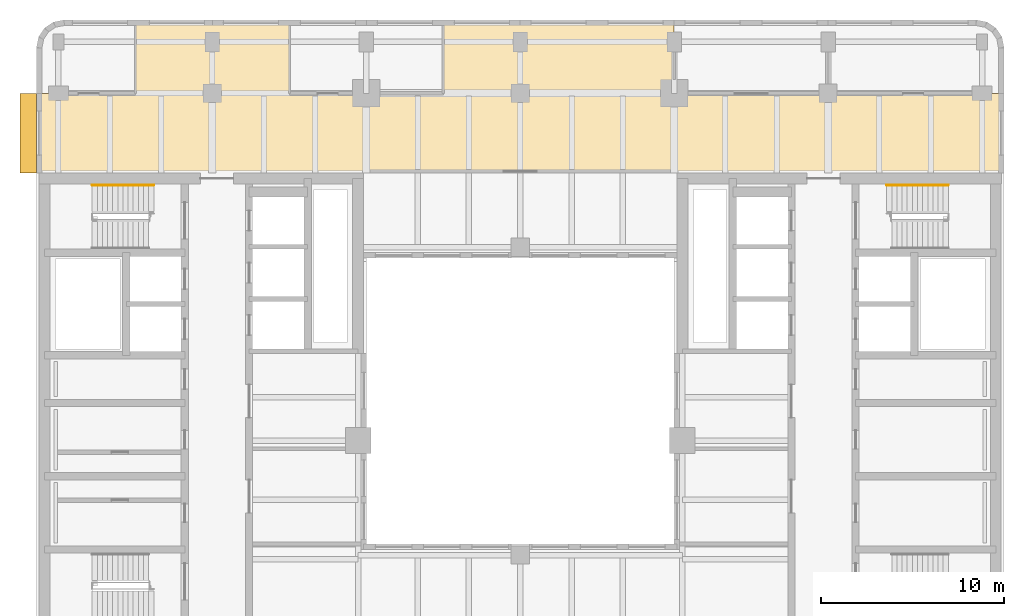
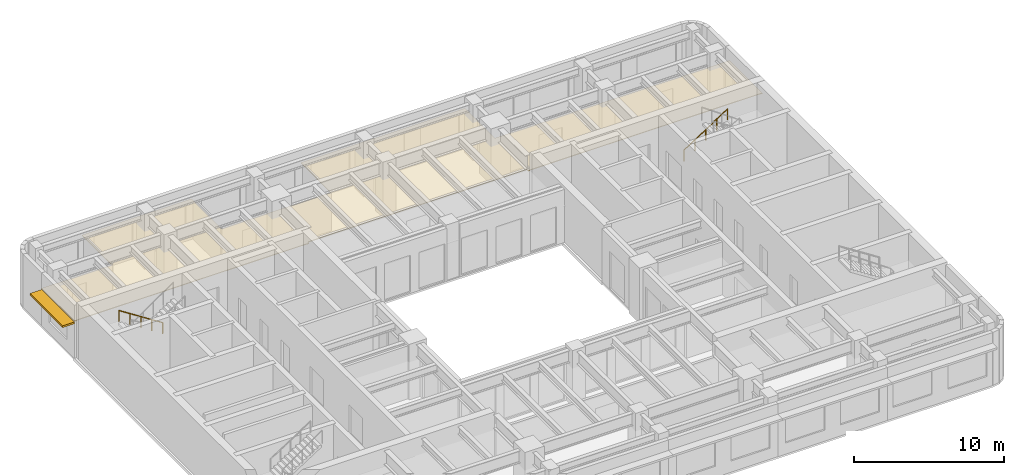
# One storey, part 13 of 13: 2 railings, 1 covering, 1 shading device.
"""IFC4 building model written with IfcOpenShell, lengths in metres."""

from ifc_helpers import new_model, si_unit, direction, frame, origin, origin_2d, place, context, subcontext, project, spatial, polyline, rectangle, circle, outline, extrude, material, layer, layer_set, type_object, element, save


model = new_model("IFC4")

# Units and contexts
model_context = context("Model", 3, precision=1e-05, world=origin(), true_north=direction((0.0, 1.0)))
body_context = subcontext(model_context, "Body", "Model", "MODEL_VIEW")
ifc_project = project(units=[si_unit("LENGTHUNIT", "METRE"), si_unit("AREAUNIT", "SQUARE_METRE"), si_unit("VOLUMEUNIT", "CUBIC_METRE"), si_unit("PLANEANGLEUNIT", "RADIAN"), si_unit("MASSUNIT", "GRAM", prefix="KILO")], contexts=[model_context])

# Site, building, storey
site_placement = place(None, origin())
site = spatial("IfcSite", under=ifc_project, at=site_placement, CompositionType="ELEMENT")
building_placement = place(site_placement, origin())
building = spatial("IfcBuilding", under=site, at=building_placement, Name="Claustro Exchange Tower", CompositionType="ELEMENT")
storey_placement = place(building_placement, frame((0.0, 0.0, 277.199951171875)))
storey = spatial("IfcBuildingStorey", under=building, at=storey_placement, Name="L63", CompositionType="ELEMENT", Elevation=277.199951171875)

# Covering
ifc_material_1 = material(Name="Oak slats on acoustic backing", Category="wood")
ifc_layer_1 = layer(ifc_material_1, 0.050048828125)
ifc_layer_set_1 = layer_set([ifc_layer_1], Name="Oak slats on acoustic backing")
covering_type = type_object("IfcCoveringType", Name="CL3 timber slat ceiling", PredefinedType="CEILING", material=ifc_layer_set_1)
covering_placement = place(storey_placement, frame((0.0, 0.0, 3.0)))
element("IfcCovering", 1, at=covering_placement, inside=storey, type_object=covering_type, Name="Ceiling CL3 L63-12", PredefinedType="CEILING", context=body_context, shape_type="SweptSolid", body=[
    extrude(outline(polyline([(16.64990234375, 37.64990234375), (16.64990234375, 37.6298828125), (16.800048828125, 37.6298828125), (16.800048828125, 37.800048828125), (33.60009765625, 37.800048828125), (33.60009765625, 37.6298828125), (33.75, 37.6298828125), (33.75, 37.64990234375), (51.449951171875, 37.64990234375), (51.449951171875, 37.6298828125), (51.60009765625, 37.6298828125), (51.60009765625, 42.0), (33.60009765625, 42.0), (33.60009765625, 46.0), (21.0, 46.0), (21.0, 42.0), (12.60009765625, 42.0), (12.60009765625, 46.0), (4.199951171875, 46.0), (4.199951171875, 42.0), (-1.199951171875, 42.0), (-1.199951171875, 37.6298828125), (-1.050048828125, 37.6298828125), (-1.050048828125, 37.64990234375), (16.64990234375, 37.64990234375)])), origin(), (0.0, 0.0, 1.0), 0.050048828125),
])

# Railings
ifc_material_2 = material(Name="Stainless steel tube", Category="steel")
railing_type = type_object("IfcRailingType", Name="HR1 900 stair handrail", PredefinedType="HANDRAIL", material=ifc_material_2)
railing_1_placement = place(storey_placement, frame((5.199951171875, 36.989990234375, 0.179931640625)))
element("IfcRailing", 2, at=railing_1_placement, inside=storey, type_object=railing_type, Name="Handrail HR1 stair STWB L63", PredefinedType="HANDRAIL", context=body_context, shape_type="SweptSolid", body=[
    extrude(circle(Radius=0.02392578125, at=origin_2d()), frame((0.0, 0.0, 0.8759765625), z_axis=(-0.841150671818, 0.0, 0.540800838849), x_axis=(0.0, -1.0, 0.0)), (0.0, 0.0, 1.0), 3.994384765625),
    extrude(circle(Radius=0.02099609375, at=origin_2d()), origin(), (0.0, 0.0, 1.0), 0.851806640625),
    extrude(circle(Radius=0.02099609375, at=origin_2d()), frame((-0.83984375, 0.0, 0.5400390625)), (0.0, 0.0, 1.0), 0.851806640625),
    extrude(circle(Radius=0.02099609375, at=origin_2d()), frame((-1.679931640625, 0.0, 1.080078125)), (0.0, 0.0, 1.0), 0.851806640625),
    extrude(circle(Radius=0.02099609375, at=origin_2d()), frame((-2.52001953125, 0.0, 1.6201171875)), (0.0, 0.0, 1.0), 0.851806640625),
    extrude(circle(Radius=0.02099609375, at=origin_2d()), frame((-3.35986328125, 0.0, 2.16015625)), (0.0, 0.0, 1.0), 0.851806640625),
])
railing_2_placement = place(storey_placement, frame((45.199951171875, 36.989990234375, 0.179931640625)))
element("IfcRailing", 3, at=railing_2_placement, inside=storey, type_object=railing_type, Name="Handrail HR1 stair STEB L63", PredefinedType="HANDRAIL", context=body_context, shape_type="SweptSolid", body=[
    extrude(circle(Radius=0.02392578125, at=origin_2d()), frame((0.0, 0.0, 0.8759765625), z_axis=(0.8411685463, 0.0, 0.540773036232), x_axis=(0.0, 1.0, 0.0)), (0.0, 0.0, 1.0), 3.99462890625),
    extrude(circle(Radius=0.02099609375, at=origin_2d()), origin(), (0.0, 0.0, 1.0), 0.851806640625),
    extrude(circle(Radius=0.02099609375, at=origin_2d()), frame((0.840087890625, 0.0, 0.5400390625)), (0.0, 0.0, 1.0), 0.851806640625),
    extrude(circle(Radius=0.02099609375, at=origin_2d()), frame((1.68017578125, 0.0, 1.080078125)), (0.0, 0.0, 1.0), 0.851806640625),
    extrude(circle(Radius=0.02099609375, at=origin_2d()), frame((2.52001953125, 0.0, 1.6201171875)), (0.0, 0.0, 1.0), 0.851806640625),
    extrude(circle(Radius=0.02099609375, at=origin_2d()), frame((3.360107421875, 0.0, 2.16015625)), (0.0, 0.0, 1.0), 0.851806640625),
])

# Shading device
ifc_material_3 = material(Name="Concrete HA-40 (C40/50), precast, white cement, acid-etched", Category="concrete")
ifc_layer_2 = layer(ifc_material_3, 0.14990234375)
ifc_layer_set_2 = layer_set([ifc_layer_2], Name="Concrete HA-40 (C40/50), precast, white cement, acid-etched")
shading_device_type = type_object("IfcShadingDeviceType", Name="SS2 900 precast concrete SUNSHADE", PredefinedType="SHUTTER", material=ifc_layer_set_2)
shading_device_placement = place(storey_placement, frame((-1.64990234375, 39.824951171875, 2.800048828125), z_axis=(0.0, 0.0, 1.0), x_axis=(0.0, 1.0, 0.0)))
element("IfcShadingDevice", 4, at=shading_device_placement, inside=storey, type_object=shading_device_type, Name="Precast SUNSHADE SS2 L63", PredefinedType="SHUTTER", context=body_context, shape_type="SweptSolid", body=[
    extrude(rectangle(XDim=4.35009765625, YDim=0.89990234375, at=origin_2d()), origin(), (0.0, 0.0, 1.0), 0.14990234375),
])

save(model, "model.ifc")
